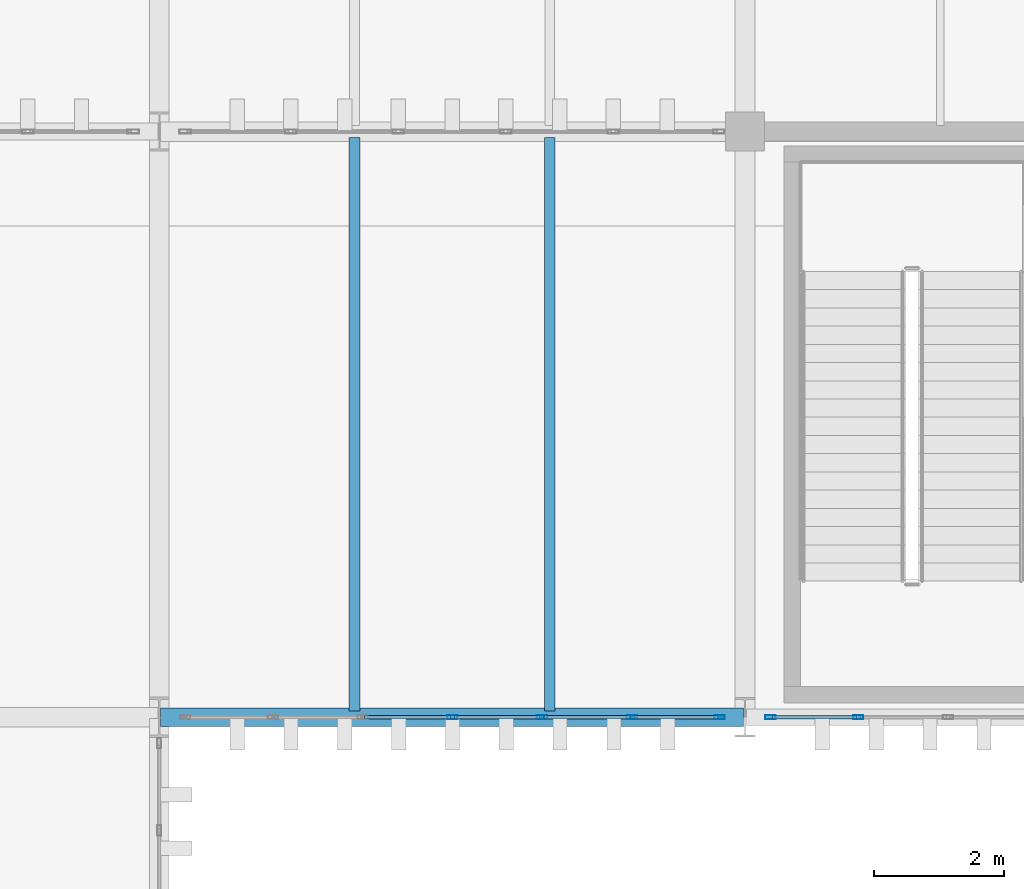
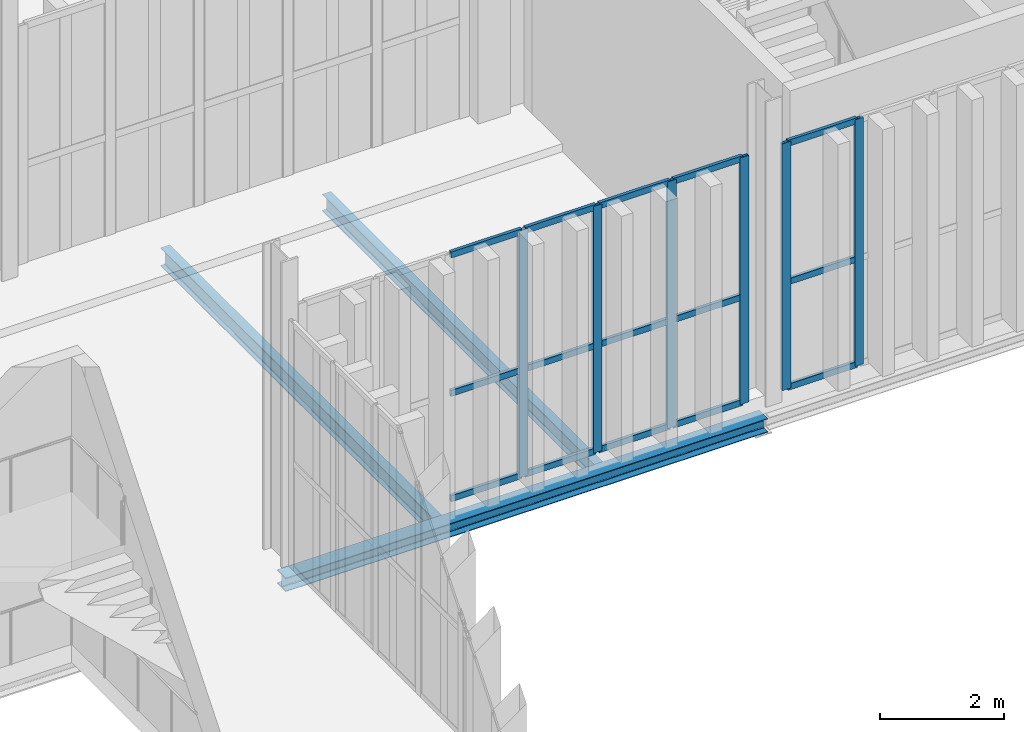
# One storey, part 140 of 237: 21 members, 3 beams, 2 elements without a shape of their own.
"""IFC4 building model written with IfcOpenShell, lengths in metres."""

from ifc_helpers import new_model, si_unit, direction, frame, origin, origin_2d, place, context, subcontext, project, spatial, hollow_rectangle, i_section, extrude, material, layer, layer_set, material_profile, profile_set, type_object, element, aggregate, save


model = new_model("IFC4")

# Units and contexts
model_context = context("Model", 3, precision=1e-05, world=origin(), true_north=direction((0.0, 1.0)))
body_context = subcontext(model_context, "Body", "Model", "MODEL_VIEW")
ifc_project = project(units=[si_unit("LENGTHUNIT", "METRE"), si_unit("AREAUNIT", "SQUARE_METRE"), si_unit("VOLUMEUNIT", "CUBIC_METRE"), si_unit("PLANEANGLEUNIT", "RADIAN"), si_unit("MASSUNIT", "GRAM", prefix="KILO")], contexts=[model_context])

# Site, building, storey
site_placement = place(None, origin())
site = spatial("IfcSite", under=ifc_project, at=site_placement, CompositionType="ELEMENT")
building_placement = place(site_placement, origin())
building = spatial("IfcBuilding", under=site, at=building_placement, Name="Barlavento Convention Centre", CompositionType="ELEMENT")
storey_placement = place(building_placement, frame((0.0, 0.0, 12.0)))
storey = spatial("IfcBuildingStorey", under=building, at=storey_placement, Name="L02", CompositionType="ELEMENT", Elevation=12.0)

# Curtain wall, members
ifc_material_1 = material(Name="Powder-coated aluminium and Low-E glass", Category="aluminium")
ifc_layer = layer(ifc_material_1, 0.195068359375)
ifc_layer_set = layer_set([ifc_layer], Name="ARC-CW-PATIO-A")
curtain_wall_type = type_object("IfcCurtainWallType", Name="ARC-CW-PATIO-A", PredefinedType="NOTDEFINED", material=ifc_layer_set)
curtain_wall_1_placement = place(storey_placement, origin())
curtain_wall_1 = element("IfcCurtainWall", 1, at=curtain_wall_1_placement, inside=storey, type_object=curtain_wall_type, Name="L02 unitised curtain wall CW11", PredefinedType="NOTDEFINED")
ifc_material_2 = material(Name="Powder-coated aluminium", Category="aluminium")
ifc_material_profile_1 = material_profile(ifc_material_2, hollow_rectangle(XDim=0.06005859375, YDim=0.159912109375, WallThickness=0.00390625, at=origin_2d()), Name="AL-MULL 60x160x4")
ifc_profile_set_1 = profile_set([ifc_material_profile_1], Name="Powder-coated aluminium")
member_type_1 = type_object("IfcMemberType", Name="ARC-CWM-60X160", PredefinedType="MULLION", material=ifc_profile_set_1)
member_1_placement = place(storey_placement, frame((139.5048828125, 90.0, 0.0), z_axis=(0.0, 0.0, 1.0), x_axis=(0.0, 1.0, 0.0)))
member_1 = element("IfcMember", 2, at=member_1_placement, type_object=member_type_1, Name="CW11 mullion 4", PredefinedType="MULLION", context=body_context, shape_type="SweptSolid", body=[
    extrude(hollow_rectangle(XDim=0.06005859375, YDim=0.159912109375, WallThickness=0.00390625, at=origin_2d()), origin(), (0.0, 0.0, 1.0), 4.85009765625),
])
member_2_placement = place(storey_placement, frame((140.88330078125, 90.0, 0.0), z_axis=(0.0, 0.0, 1.0), x_axis=(0.0, 1.0, 0.0)))
member_2 = element("IfcMember", 3, at=member_2_placement, type_object=member_type_1, Name="CW11 mullion 5", PredefinedType="MULLION", context=body_context, shape_type="SweptSolid", body=[
    extrude(hollow_rectangle(XDim=0.06005859375, YDim=0.159912109375, WallThickness=0.00390625, at=origin_2d()), origin(), (0.0, 0.0, 1.0), 4.85009765625),
])
member_3_placement = place(storey_placement, frame((142.26171875, 90.0, 0.0), z_axis=(0.0, 0.0, 1.0), x_axis=(0.0, 1.0, 0.0)))
member_3 = element("IfcMember", 4, at=member_3_placement, type_object=member_type_1, Name="CW11 mullion 6", PredefinedType="MULLION", context=body_context, shape_type="SweptSolid", body=[
    extrude(hollow_rectangle(XDim=0.06005859375, YDim=0.159912109375, WallThickness=0.00390625, at=origin_2d()), origin(), (0.0, 0.0, 1.0), 4.85009765625),
])
member_4_placement = place(storey_placement, frame((143.610107421875, 90.0, 0.0), z_axis=(0.0, 0.0, 1.0), x_axis=(0.0, 1.0, 0.0)))
member_4 = element("IfcMember", 5, at=member_4_placement, type_object=member_type_1, Name="CW11 mullion 7", PredefinedType="MULLION", context=body_context, shape_type="SweptSolid", body=[
    extrude(hollow_rectangle(XDim=0.06005859375, YDim=0.159912109375, WallThickness=0.00390625, at=origin_2d()), origin(), (0.0, 0.0, 1.0), 4.85009765625),
])

curtain_wall_2_placement = place(storey_placement, origin())
curtain_wall_2 = element("IfcCurtainWall", 6, at=curtain_wall_2_placement, inside=storey, type_object=curtain_wall_type, Name="L02 unitised curtain wall CW11", PredefinedType="NOTDEFINED")
member_5_placement = place(storey_placement, frame((144.389892578125, 90.0, 0.0), z_axis=(0.0, 0.0, 1.0), x_axis=(0.0, 1.0, 0.0)))
member_5 = element("IfcMember", 7, at=member_5_placement, type_object=member_type_1, Name="CW11 mullion 1", PredefinedType="MULLION", context=body_context, shape_type="SweptSolid", body=[
    extrude(hollow_rectangle(XDim=0.06005859375, YDim=0.159912109375, WallThickness=0.00390625, at=origin_2d()), origin(), (0.0, 0.0, 1.0), 4.85009765625),
])
member_6_placement = place(storey_placement, frame((145.739990234375, 90.0, 0.0), z_axis=(0.0, 0.0, 1.0), x_axis=(0.0, 1.0, 0.0)))
member_6 = element("IfcMember", 8, at=member_6_placement, type_object=member_type_1, Name="CW11 mullion 2", PredefinedType="MULLION", context=body_context, shape_type="SweptSolid", body=[
    extrude(hollow_rectangle(XDim=0.06005859375, YDim=0.159912109375, WallThickness=0.00390625, at=origin_2d()), origin(), (0.0, 0.0, 1.0), 4.85009765625),
])

# Member
ifc_material_profile_2 = material_profile(ifc_material_2, hollow_rectangle(XDim=0.06005859375, YDim=0.1201171875, WallThickness=0.00390625, at=origin_2d()), Name="AL-TRAN 60x120x4")
ifc_profile_set_2 = profile_set([ifc_material_profile_2], Name="Powder-coated aluminium")
member_type_2 = type_object("IfcMemberType", Name="ARC-CWT-60X120", PredefinedType="USERDEFINED", material=ifc_profile_set_2)
member_7_placement = place(storey_placement, frame((138.15673828125, 90.0, 0.030029296875), z_axis=(1.0, 0.0, 0.0), x_axis=(0.0, 1.0, 0.0)))
member_7 = element("IfcMember", 9, at=member_7_placement, type_object=member_type_2, Name="CW11 transom 3.1", ObjectType="TRANSOM", PredefinedType="USERDEFINED", context=body_context, shape_type="SweptSolid", body=[
    extrude(hollow_rectangle(XDim=0.06005859375, YDim=0.1201171875, WallThickness=0.00390625, at=origin_2d()), origin(), (0.0, 0.0, 1.0), 1.318359375),
])

member_8_placement = place(storey_placement, frame((138.15673828125, 90.0, 2.10009765625), z_axis=(1.0, 0.0, 0.0), x_axis=(0.0, 1.0, 0.0)))
member_8 = element("IfcMember", 10, at=member_8_placement, type_object=member_type_2, Name="CW11 transom 3.2", ObjectType="TRANSOM", PredefinedType="USERDEFINED", context=body_context, shape_type="SweptSolid", body=[
    extrude(hollow_rectangle(XDim=0.06005859375, YDim=0.1201171875, WallThickness=0.00390625, at=origin_2d()), origin(), (0.0, 0.0, 1.0), 1.318359375),
])

member_9_placement = place(storey_placement, frame((138.15673828125, 90.0, 4.820068359375), z_axis=(1.0, 0.0, 0.0), x_axis=(0.0, 1.0, 0.0)))
member_9 = element("IfcMember", 11, at=member_9_placement, type_object=member_type_2, Name="CW11 transom 3.3", ObjectType="TRANSOM", PredefinedType="USERDEFINED", context=body_context, shape_type="SweptSolid", body=[
    extrude(hollow_rectangle(XDim=0.06005859375, YDim=0.1201171875, WallThickness=0.00390625, at=origin_2d()), origin(), (0.0, 0.0, 1.0), 1.318359375),
])

member_10_placement = place(storey_placement, frame((139.534912109375, 90.0, 0.030029296875), z_axis=(1.0, 0.0, 0.0), x_axis=(0.0, 1.0, 0.0)))
member_10 = element("IfcMember", 12, at=member_10_placement, type_object=member_type_2, Name="CW11 transom 4.1", ObjectType="TRANSOM", PredefinedType="USERDEFINED", context=body_context, shape_type="SweptSolid", body=[
    extrude(hollow_rectangle(XDim=0.06005859375, YDim=0.1201171875, WallThickness=0.00390625, at=origin_2d()), origin(), (0.0, 0.0, 1.0), 1.318359375),
])

member_11_placement = place(storey_placement, frame((139.534912109375, 90.0, 2.10009765625), z_axis=(1.0, 0.0, 0.0), x_axis=(0.0, 1.0, 0.0)))
member_11 = element("IfcMember", 13, at=member_11_placement, type_object=member_type_2, Name="CW11 transom 4.2", ObjectType="TRANSOM", PredefinedType="USERDEFINED", context=body_context, shape_type="SweptSolid", body=[
    extrude(hollow_rectangle(XDim=0.06005859375, YDim=0.1201171875, WallThickness=0.00390625, at=origin_2d()), origin(), (0.0, 0.0, 1.0), 1.318359375),
])

member_12_placement = place(storey_placement, frame((139.534912109375, 90.0, 4.820068359375), z_axis=(1.0, 0.0, 0.0), x_axis=(0.0, 1.0, 0.0)))
member_12 = element("IfcMember", 14, at=member_12_placement, type_object=member_type_2, Name="CW11 transom 4.3", ObjectType="TRANSOM", PredefinedType="USERDEFINED", context=body_context, shape_type="SweptSolid", body=[
    extrude(hollow_rectangle(XDim=0.06005859375, YDim=0.1201171875, WallThickness=0.00390625, at=origin_2d()), origin(), (0.0, 0.0, 1.0), 1.318359375),
])

member_13_placement = place(storey_placement, frame((140.913330078125, 90.0, 0.030029296875), z_axis=(1.0, 0.0, 0.0), x_axis=(0.0, 1.0, 0.0)))
member_13 = element("IfcMember", 15, at=member_13_placement, type_object=member_type_2, Name="CW11 transom 5.1", ObjectType="TRANSOM", PredefinedType="USERDEFINED", context=body_context, shape_type="SweptSolid", body=[
    extrude(hollow_rectangle(XDim=0.06005859375, YDim=0.1201171875, WallThickness=0.00390625, at=origin_2d()), origin(), (0.0, 0.0, 1.0), 1.318359375),
])

member_14_placement = place(storey_placement, frame((140.913330078125, 90.0, 2.10009765625), z_axis=(1.0, 0.0, 0.0), x_axis=(0.0, 1.0, 0.0)))
member_14 = element("IfcMember", 16, at=member_14_placement, type_object=member_type_2, Name="CW11 transom 5.2", ObjectType="TRANSOM", PredefinedType="USERDEFINED", context=body_context, shape_type="SweptSolid", body=[
    extrude(hollow_rectangle(XDim=0.06005859375, YDim=0.1201171875, WallThickness=0.00390625, at=origin_2d()), origin(), (0.0, 0.0, 1.0), 1.318359375),
])

member_15_placement = place(storey_placement, frame((140.913330078125, 90.0, 4.820068359375), z_axis=(1.0, 0.0, 0.0), x_axis=(0.0, 1.0, 0.0)))
member_15 = element("IfcMember", 17, at=member_15_placement, type_object=member_type_2, Name="CW11 transom 5.3", ObjectType="TRANSOM", PredefinedType="USERDEFINED", context=body_context, shape_type="SweptSolid", body=[
    extrude(hollow_rectangle(XDim=0.06005859375, YDim=0.1201171875, WallThickness=0.00390625, at=origin_2d()), origin(), (0.0, 0.0, 1.0), 1.318359375),
])

member_16_placement = place(storey_placement, frame((142.291748046875, 90.0, 0.030029296875), z_axis=(1.0, 0.0, 0.0), x_axis=(0.0, 1.0, 0.0)))
member_16 = element("IfcMember", 18, at=member_16_placement, type_object=member_type_2, Name="CW11 transom 6.1", ObjectType="TRANSOM", PredefinedType="USERDEFINED", context=body_context, shape_type="SweptSolid", body=[
    extrude(hollow_rectangle(XDim=0.06005859375, YDim=0.1201171875, WallThickness=0.00390625, at=origin_2d()), origin(), (0.0, 0.0, 1.0), 1.288330078125),
])

member_17_placement = place(storey_placement, frame((142.291748046875, 90.0, 2.10009765625), z_axis=(1.0, 0.0, 0.0), x_axis=(0.0, 1.0, 0.0)))
member_17 = element("IfcMember", 19, at=member_17_placement, type_object=member_type_2, Name="CW11 transom 6.2", ObjectType="TRANSOM", PredefinedType="USERDEFINED", context=body_context, shape_type="SweptSolid", body=[
    extrude(hollow_rectangle(XDim=0.06005859375, YDim=0.1201171875, WallThickness=0.00390625, at=origin_2d()), origin(), (0.0, 0.0, 1.0), 1.288330078125),
])

member_18_placement = place(storey_placement, frame((142.291748046875, 90.0, 4.820068359375), z_axis=(1.0, 0.0, 0.0), x_axis=(0.0, 1.0, 0.0)))
member_18 = element("IfcMember", 20, at=member_18_placement, type_object=member_type_2, Name="CW11 transom 6.3", ObjectType="TRANSOM", PredefinedType="USERDEFINED", context=body_context, shape_type="SweptSolid", body=[
    extrude(hollow_rectangle(XDim=0.06005859375, YDim=0.1201171875, WallThickness=0.00390625, at=origin_2d()), origin(), (0.0, 0.0, 1.0), 1.288330078125),
])

aggregate(curtain_wall_1, [member_1, member_2, member_3, member_4, member_7, member_8, member_9, member_10, member_11, member_12, member_13, member_14, member_15, member_16, member_17, member_18])

member_19_placement = place(storey_placement, frame((144.419921875, 90.0, 0.030029296875), z_axis=(1.0, 0.0, 0.0), x_axis=(0.0, 1.0, 0.0)))
member_19 = element("IfcMember", 21, at=member_19_placement, type_object=member_type_2, Name="CW11 transom 1.1", ObjectType="TRANSOM", PredefinedType="USERDEFINED", context=body_context, shape_type="SweptSolid", body=[
    extrude(hollow_rectangle(XDim=0.06005859375, YDim=0.1201171875, WallThickness=0.00390625, at=origin_2d()), origin(), (0.0, 0.0, 1.0), 1.2900390625),
])

member_20_placement = place(storey_placement, frame((144.419921875, 90.0, 2.10009765625), z_axis=(1.0, 0.0, 0.0), x_axis=(0.0, 1.0, 0.0)))
member_20 = element("IfcMember", 22, at=member_20_placement, type_object=member_type_2, Name="CW11 transom 1.2", ObjectType="TRANSOM", PredefinedType="USERDEFINED", context=body_context, shape_type="SweptSolid", body=[
    extrude(hollow_rectangle(XDim=0.06005859375, YDim=0.1201171875, WallThickness=0.00390625, at=origin_2d()), origin(), (0.0, 0.0, 1.0), 1.2900390625),
])

member_21_placement = place(storey_placement, frame((144.419921875, 90.0, 4.820068359375), z_axis=(1.0, 0.0, 0.0), x_axis=(0.0, 1.0, 0.0)))
member_21 = element("IfcMember", 23, at=member_21_placement, type_object=member_type_2, Name="CW11 transom 1.3", ObjectType="TRANSOM", PredefinedType="USERDEFINED", context=body_context, shape_type="SweptSolid", body=[
    extrude(hollow_rectangle(XDim=0.06005859375, YDim=0.1201171875, WallThickness=0.00390625, at=origin_2d()), origin(), (0.0, 0.0, 1.0), 1.2900390625),
])

aggregate(curtain_wall_2, [member_5, member_6, member_19, member_20, member_21])

# Beams
ifc_material_3 = material(Name="Steel S355", Category="steel")
ifc_material_profile_3 = material_profile(ifc_material_3, i_section(OverallWidth=0.159912109375, OverallDepth=0.330078125, WebThickness=0.007568359375, FlangeThickness=0.011474609375, FilletRadius=0.01806640625, at=origin_2d()), Name="IPE 330")
ifc_profile_set_3 = profile_set([ifc_material_profile_3], Name="Steel S355")
beam_type_1 = type_object("IfcBeamType", Name="STR-BM-JST-IPE330", PredefinedType="JOIST", material=ifc_profile_set_3)
beam_1_placement = place(storey_placement, frame((141.0, 90.094970703125, -0.530029296875), z_axis=(0.0, 1.0, 0.0), x_axis=(-1.0, 0.0, 0.0)))
element("IfcBeam", 24, at=beam_1_placement, inside=storey, type_object=beam_type_1, Name="L02 composite floor joist SJ06", PredefinedType="JOIST", context=body_context, shape_type="SweptSolid", body=[
    extrude(i_section(OverallWidth=0.159912109375, OverallDepth=0.330078125, WebThickness=0.007568359375, FlangeThickness=0.011474609375, FilletRadius=0.01806640625, at=origin_2d()), origin(), (0.0, 0.0, 1.0), 8.81005859375),
])
ifc_material_profile_4 = material_profile(ifc_material_3, i_section(OverallWidth=0.169921875, OverallDepth=0.360107421875, WebThickness=0.008056640625, FlangeThickness=0.0126953125, FilletRadius=0.01806640625, at=origin_2d()), Name="IPE 360")
ifc_profile_set_4 = profile_set([ifc_material_profile_4], Name="Steel S355")
beam_type_2 = type_object("IfcBeamType", Name="STR-BM-JST-IPE360", PredefinedType="JOIST", material=ifc_profile_set_4)
beam_2_placement = place(storey_placement, frame((138.0, 90.094970703125, -0.544921875), z_axis=(0.0, 1.0, 0.0), x_axis=(-1.0, 0.0, 0.0)))
element("IfcBeam", 25, at=beam_2_placement, inside=storey, type_object=beam_type_2, Name="L02 composite floor joist SJ05", PredefinedType="JOIST", context=body_context, shape_type="SweptSolid", body=[
    extrude(i_section(OverallWidth=0.169921875, OverallDepth=0.360107421875, WebThickness=0.008056640625, FlangeThickness=0.0126953125, FilletRadius=0.01806640625, at=origin_2d()), origin(), (0.0, 0.0, 1.0), 8.81005859375),
])
ifc_material_profile_5 = material_profile(ifc_material_3, i_section(OverallWidth=0.280029296875, OverallDepth=0.27001953125, WebThickness=0.008056640625, FlangeThickness=0.012939453125, FilletRadius=0.02392578125, at=origin_2d()), Name="HEA 280")
ifc_profile_set_5 = profile_set([ifc_material_profile_5], Name="Steel S355")
beam_type_3 = type_object("IfcBeamType", Name="STR-BM-SPN-HEA280", PredefinedType="SPANDREL", material=ifc_profile_set_5)
beam_3_placement = place(storey_placement, frame((135.02001953125, 90.0, -0.4951171875), z_axis=(1.0, 0.0, 0.0), x_axis=(0.0, 1.0, 0.0)))
element("IfcBeam", 26, at=beam_3_placement, inside=storey, type_object=beam_type_3, Name="L02 primary girder SP03", PredefinedType="SPANDREL", context=body_context, shape_type="SweptSolid", body=[
    extrude(i_section(OverallWidth=0.280029296875, OverallDepth=0.27001953125, WebThickness=0.008056640625, FlangeThickness=0.012939453125, FilletRadius=0.02392578125, at=origin_2d()), origin(), (0.0, 0.0, 1.0), 8.9599609375),
])

save(model, "model.ifc")
